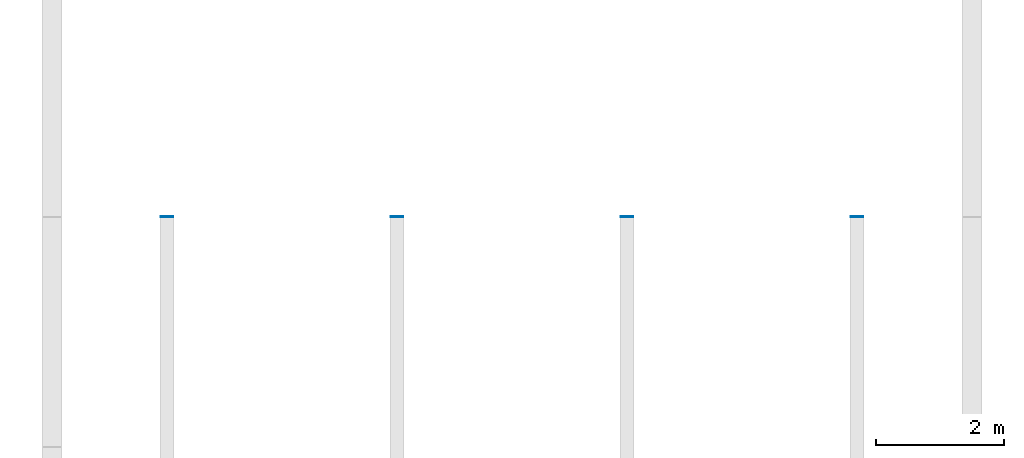
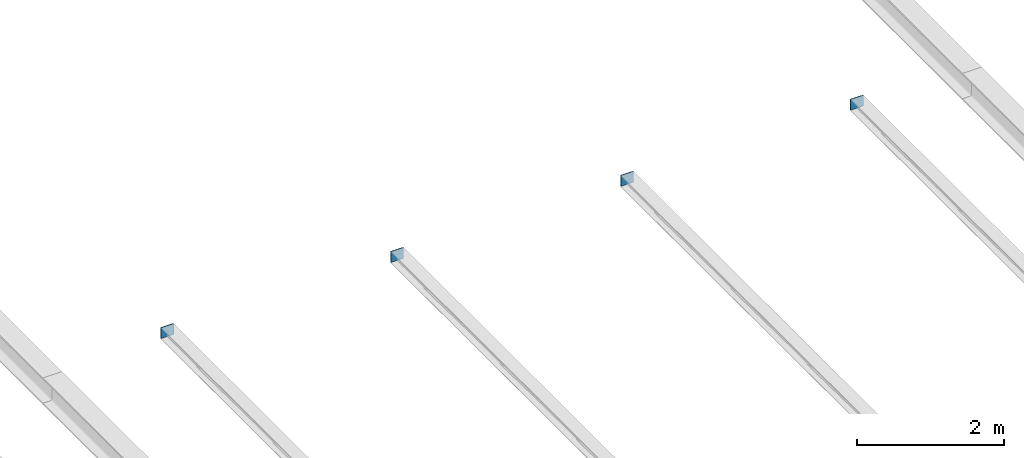
# One storey, part 53 of 110: 4 discrete accessories.
"""IFC4 building model written with IfcOpenShell, lengths in metres."""

from ifc_helpers import new_model, si_unit, direction, frame, origin, origin_2d, place, context, subcontext, project, spatial, rectangle, extrude, material, layer, layer_set, type_object, element, save


model = new_model("IFC4")

# Units and contexts
model_context = context("Model", 3, precision=1e-05, world=origin(), true_north=direction((0.0, 1.0)))
body_context = subcontext(model_context, "Body", "Model", "MODEL_VIEW")
ifc_project = project(units=[si_unit("LENGTHUNIT", "METRE"), si_unit("AREAUNIT", "SQUARE_METRE"), si_unit("VOLUMEUNIT", "CUBIC_METRE"), si_unit("PLANEANGLEUNIT", "RADIAN"), si_unit("MASSUNIT", "GRAM", prefix="KILO")], contexts=[model_context])

# Site, building, storey
site_placement = place(None, origin())
site = spatial("IfcSite", under=ifc_project, at=site_placement, CompositionType="ELEMENT")
building_placement = place(site_placement, origin())
building = spatial("IfcBuilding", under=site, at=building_placement, Name="Kupolbacken Congress Centre", CompositionType="ELEMENT")
storey_placement = place(building_placement, frame((0.0, 0.0, 18.0)))
storey = spatial("IfcBuildingStorey", under=building, at=storey_placement, Name="L05", CompositionType="ELEMENT", Elevation=18.0)

# Discrete accessories
ifc_material = material(Name="Steel S355", Category="steel")
ifc_layer = layer(ifc_material, 0.011962890625)
ifc_layer_set = layer_set([ifc_layer], Name="Steel S355")
discrete_accessory_type = type_object("IfcDiscreteAccessoryType", Name="BK3 bracket end plate 200 x 180 x 12", PredefinedType="BRACKET", material=ifc_layer_set)
for number, where, z_axis, x_axis, name in (
    (1, (124.199951171875, 50.406005859375, 3.60009765625), (0.0, 0.0, 1.0), (1.0, 0.0, 0.0), "Eave bracket end plate S11"),
    (2, (127.800048828125, 50.406005859375, 3.60009765625), (0.0, 0.0, 1.0), (1.0, 0.0, 0.0), "Eave bracket end plate S12"),
    (3, (131.39990234375, 50.406005859375, 3.60009765625), (0.0, 0.0, 1.0), (1.0, 0.0, 0.0), "Eave bracket end plate S13"),
    (4, (135.0, 50.406005859375, 3.60009765625), (0.0, 0.0, 1.0), (1.0, 0.0, 0.0), "Eave bracket end plate S14"),
):
    element("IfcDiscreteAccessory", number, at=place(storey_placement, frame(where, z_axis=z_axis, x_axis=x_axis)), inside=storey, type_object=discrete_accessory_type, Name=name, PredefinedType="BRACKET", context=body_context, shape_type="SweptSolid", body=[
        extrude(rectangle(XDim=0.199951171875, YDim=0.011962890625, at=origin_2d()), origin(), (0.0, 0.0, 1.0), 0.179931640625),
    ])

save(model, "model.ifc")
